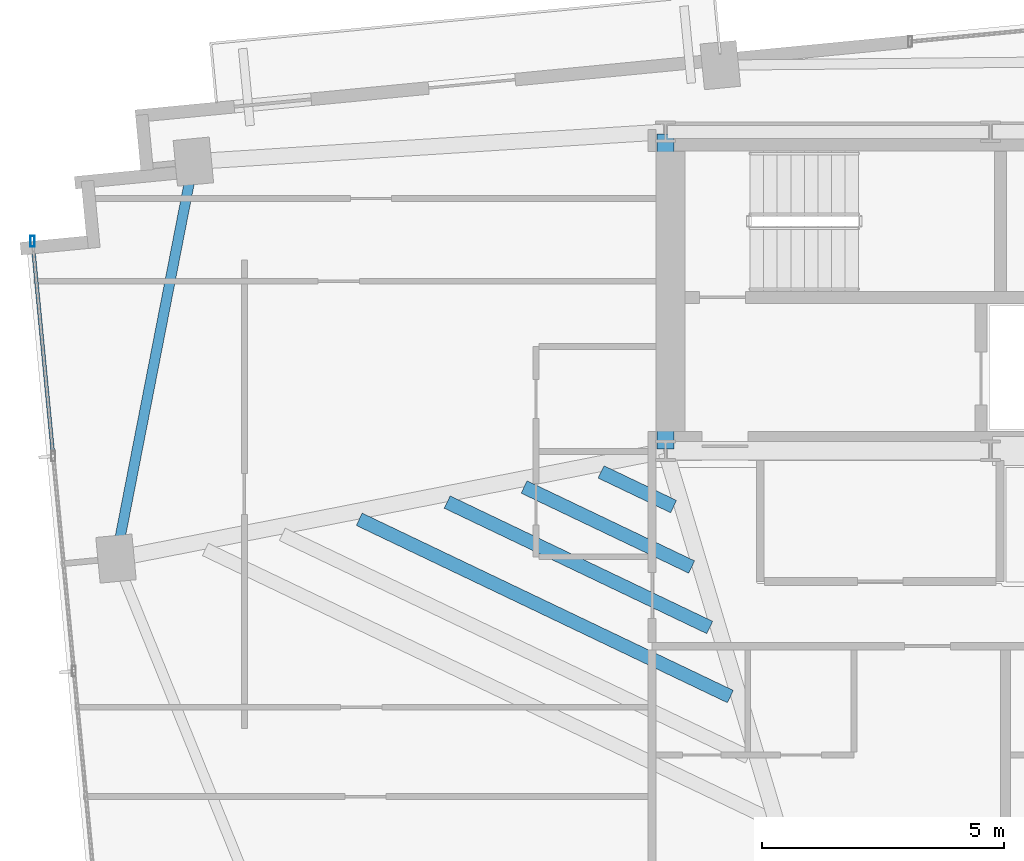
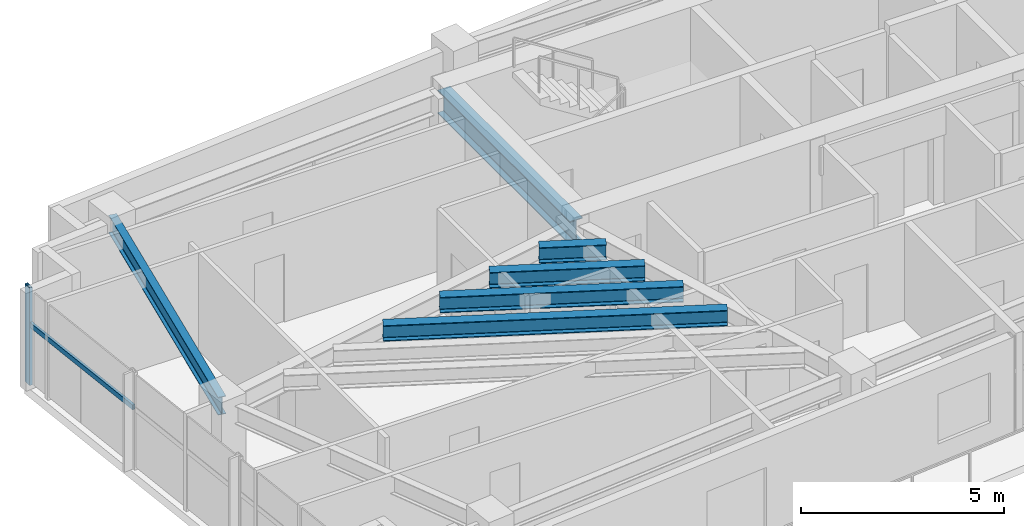
# One storey, part 3 of 18: 6 beams, 2 members, 1 element without a shape of its own.
"""IFC4 building model written with IfcOpenShell, lengths in metres."""

from ifc_helpers import new_model, si_unit, direction, frame, origin, origin_2d, place, context, subcontext, project, spatial, hollow_rectangle, i_section, extrude, source, transform, mapped, material, material_profile, profile_set, type_object, type_shapes, element, aggregate, save


model = new_model("IFC4")

# Units and contexts
model_context = context("Model", 3, precision=1e-05, world=origin(), true_north=direction((0.0, 1.0)))
body_context = subcontext(model_context, "Body", "Model", "MODEL_VIEW")
ifc_project = project(units=[si_unit("LENGTHUNIT", "METRE"), si_unit("AREAUNIT", "SQUARE_METRE"), si_unit("VOLUMEUNIT", "CUBIC_METRE"), si_unit("PLANEANGLEUNIT", "RADIAN"), si_unit("MASSUNIT", "GRAM", prefix="KILO")], contexts=[model_context])

# Site, building, storey
site_placement = place(None, origin())
site = spatial("IfcSite", under=ifc_project, at=site_placement, CompositionType="ELEMENT")
building_placement = place(site_placement, origin())
building = spatial("IfcBuilding", under=site, at=building_placement, Name="Astriad Promenade Condominiums", CompositionType="ELEMENT")
storey_placement = place(building_placement, frame((0.0, 0.0, 201.800048828125)))
storey = spatial("IfcBuildingStorey", under=building, at=storey_placement, Name="L58", CompositionType="ELEMENT", Elevation=201.800048828125)

# Beams
ifc_material_1 = material(Name="Steel ASTM A992 Grade 50", Category="steel")
ifc_material_profile_1 = material_profile(ifc_material_1, i_section(OverallWidth=0.35791015625, OverallDepth=0.706298828125, WebThickness=0.018310546875, FlangeThickness=0.0302734375, FilletRadius=0.020263671875, at=origin_2d()), Name="W27X178")
ifc_profile_set_1 = profile_set([ifc_material_profile_1], Name="Steel ASTM A992 Grade 50")
beam_type_1 = type_object("IfcBeamType", Name="STEEL FLOOR GIRDER W27X178", PredefinedType="BEAM", material=ifc_profile_set_1)
shared_shape_1 = source(origin(), body_context, "Body", "SweptSolid", [
    extrude(i_section(OverallWidth=0.35791015625, OverallDepth=0.706298828125, WebThickness=0.018310546875, FlangeThickness=0.0302734375, FilletRadius=0.020263671875, at=origin_2d()), origin(), (0.0, 0.0, 1.0), 6.52001953125),
])
type_shapes(beam_type_1, [shared_shape_1])
beam_1_placement = place(storey_placement, frame((26.39990234375, 17.43994140625, 2.586669921875), z_axis=(0.0, 1.0, 0.0), x_axis=(-1.0, 0.0, 0.0)))
element("IfcBeam", 1, at=beam_1_placement, inside=storey, type_object=beam_type_1, Name="Core Ring Beam CG-W1-L58", PredefinedType="BEAM", context=body_context, shape_type="MappedRepresentation", body=[
    mapped(shared_shape_1, transform((0.0, 0.0, 0.0), scale=1.0)),
])
ifc_material_profile_2 = material_profile(ifc_material_1, i_section(OverallWidth=0.210693359375, OverallDepth=0.53955078125, WebThickness=0.01171875, FlangeThickness=0.018798828125, FilletRadius=0.0166015625, at=origin_2d()), Name="W21X73")
ifc_profile_set_2 = profile_set([ifc_material_profile_2], Name="Steel ASTM A992 Grade 50")
beam_type_2 = type_object("IfcBeamType", Name="STEEL SPANDREL BEAM W21X73", PredefinedType="SPANDREL", material=ifc_profile_set_2)
shared_shape_2 = source(origin(), body_context, "Body", "SweptSolid", [
    extrude(i_section(OverallWidth=0.210693359375, OverallDepth=0.53955078125, WebThickness=0.01171875, FlangeThickness=0.018798828125, FilletRadius=0.0166015625, at=origin_2d()), origin(), (0.0, 0.0, 1.0), 8.28564453125),
])
type_shapes(beam_type_2, [shared_shape_2])
beam_2_placement = place(storey_placement, frame((16.62451171875, 23.3447265625, 2.670166015625), z_axis=(-0.191291582099, -0.981533254973, 0.0), x_axis=(0.981533254973, -0.191291582099, 0.0)))
element("IfcBeam", 2, at=beam_2_placement, inside=storey, type_object=beam_type_2, Name="Perimeter Spandrel Beam SP-W2-L58", PredefinedType="SPANDREL", context=body_context, shape_type="MappedRepresentation", body=[
    mapped(shared_shape_2, transform((0.0, 0.0, 0.0), scale=1.0)),
])
ifc_material_profile_3 = material_profile(ifc_material_1, i_section(OverallWidth=0.283203125, OverallDepth=0.47216796875, WebThickness=0.013671875, FlangeThickness=0.022216796875, FilletRadius=0.01513671875, at=origin_2d()), Name="W18X97")
ifc_profile_set_3 = profile_set([ifc_material_profile_3], Name="Steel ASTM A992 Grade 50")
beam_type_3 = type_object("IfcBeamType", Name="STEEL FLOOR JOIST W18X97", PredefinedType="JOIST", material=ifc_profile_set_3)
shared_shape_3 = source(origin(), body_context, "Body", "SweptSolid", [
    extrude(i_section(OverallWidth=0.283203125, OverallDepth=0.47216796875, WebThickness=0.013671875, FlangeThickness=0.022216796875, FilletRadius=0.01513671875, at=origin_2d()), origin(), (0.0, 0.0, 1.0), 8.508056640625),
])
beam_3_placement = place(storey_placement, frame((20.06298828125, 15.985595703125, 2.703857421875), z_axis=(0.902339530667, -0.431025952113, 0.0), x_axis=(0.431025952113, 0.902339530667, 0.0)))
element("IfcBeam", 3, at=beam_3_placement, inside=storey, type_object=beam_type_3, Name="Secondary Composite Floor Joist JW1-3-L58", PredefinedType="JOIST", context=body_context, shape_type="MappedRepresentation", body=[
    mapped(shared_shape_3, transform((0.0, 0.0, 0.0), scale=1.0)),
])
shared_shape_4 = source(origin(), body_context, "Body", "SweptSolid", [
    extrude(i_section(OverallWidth=0.283203125, OverallDepth=0.47216796875, WebThickness=0.013671875, FlangeThickness=0.022216796875, FilletRadius=0.01513671875, at=origin_2d()), origin(), (0.0, 0.0, 1.0), 6.01904296875),
])
beam_4_placement = place(storey_placement, frame((21.882080078125, 16.342041015625, 2.703857421875), z_axis=(0.902329759838, -0.431046406446, 0.0), x_axis=(0.431046406446, 0.902329759838, 0.0)))
element("IfcBeam", 4, at=beam_4_placement, inside=storey, type_object=beam_type_3, Name="Secondary Composite Floor Joist JW1-4-L58", PredefinedType="JOIST", context=body_context, shape_type="MappedRepresentation", body=[
    mapped(shared_shape_4, transform((0.0, 0.0, 0.0), scale=1.0)),
])
shared_shape_5 = source(origin(), body_context, "Body", "SweptSolid", [
    extrude(i_section(OverallWidth=0.283203125, OverallDepth=0.47216796875, WebThickness=0.013671875, FlangeThickness=0.022216796875, FilletRadius=0.01513671875, at=origin_2d()), origin(), (0.0, 0.0, 1.0), 3.84130859375),
])
beam_5_placement = place(storey_placement, frame((23.473388671875, 16.65380859375, 2.703857421875), z_axis=(0.902328811953, -0.431048390693, 0.0), x_axis=(0.431048390693, 0.902328811953, 0.0)))
element("IfcBeam", 5, at=beam_5_placement, inside=storey, type_object=beam_type_3, Name="Secondary Composite Floor Joist JW1-5-L58", PredefinedType="JOIST", context=body_context, shape_type="MappedRepresentation", body=[
    mapped(shared_shape_5, transform((0.0, 0.0, 0.0), scale=1.0)),
])
shared_shape_6 = source(origin(), body_context, "Body", "SweptSolid", [
    extrude(i_section(OverallWidth=0.283203125, OverallDepth=0.47216796875, WebThickness=0.013671875, FlangeThickness=0.022216796875, FilletRadius=0.01513671875, at=origin_2d()), origin(), (0.0, 0.0, 1.0), 1.6630859375),
])
type_shapes(beam_type_3, [shared_shape_3, shared_shape_4, shared_shape_5, shared_shape_6])
beam_6_placement = place(storey_placement, frame((25.065185546875, 16.965576171875, 2.703857421875), z_axis=(0.902355200591, -0.430993146077, 0.0), x_axis=(0.430993146077, 0.902355200591, 0.0)))
element("IfcBeam", 6, at=beam_6_placement, inside=storey, type_object=beam_type_3, Name="Secondary Composite Floor Joist JW1-6-L58", PredefinedType="JOIST", context=body_context, shape_type="MappedRepresentation", body=[
    mapped(shared_shape_6, transform((0.0, 0.0, 0.0), scale=1.0)),
])

# Curtain wall, members
ifc_material_2 = material(Name="Anodised aluminium Black Dark Glass Unitised", Category="aluminium")
curtain_wall_type = type_object("IfcCurtainWallType", Name="CW-B34-DARK", PredefinedType="USERDEFINED", material=ifc_material_2)
curtain_wall_placement = place(storey_placement, origin())
curtain_wall = element("IfcCurtainWall", 7, at=curtain_wall_placement, inside=storey, type_object=curtain_wall_type, Name="CW-L58-W", ObjectType="UNITISED_CURTAIN_WALL", PredefinedType="USERDEFINED")
ifc_material_3 = material(Name="Anodised aluminium 6063-T6 Black", Category="aluminium")
ifc_material_profile_4 = material_profile(ifc_material_3, hollow_rectangle(XDim=0.0849609375, YDim=0.219970703125, WallThickness=0.0048828125, at=origin_2d()), Name="ALU-MUL-85X220")
ifc_profile_set_4 = profile_set([ifc_material_profile_4], Name="Anodised aluminium 6063-T6 Black")
member_type_1 = type_object("IfcMemberType", Name="MUL-ALU-MUL-85X220", PredefinedType="MULLION", material=ifc_profile_set_4)
shared_shape_7 = source(origin(), body_context, "Body", "SweptSolid", [
    extrude(hollow_rectangle(XDim=0.0849609375, YDim=0.219970703125, WallThickness=0.0048828125, at=origin_2d()), origin(), (0.0, 0.0, 1.0), 2.93994140625),
])
type_shapes(member_type_1, [shared_shape_7])
member_1_placement = place(storey_placement, frame((13.3046875, 21.737548828125, 0.0), z_axis=(0.0, 0.0, 1.0), x_axis=(1.0, 0.0, 0.0)))
member_1 = element("IfcMember", 8, at=member_1_placement, type_object=member_type_1, Name="CW-L58-W-MUL-03", PredefinedType="MULLION", context=body_context, shape_type="MappedRepresentation", body=[
    mapped(shared_shape_7, transform((0.0, 0.0, 0.0), scale=1.0)),
])
ifc_material_profile_5 = material_profile(ifc_material_3, hollow_rectangle(XDim=0.074951171875, YDim=0.14990234375, WallThickness=0.004150390625, at=origin_2d()), Name="ALU-TRN-75X150")
ifc_profile_set_5 = profile_set([ifc_material_profile_5], Name="Anodised aluminium 6063-T6 Black")
member_type_2 = type_object("IfcMemberType", Name="TRN-ALU-TRN-75X150", PredefinedType="USERDEFINED", material=ifc_profile_set_5)
shared_shape_8 = source(origin(), body_context, "Body", "SweptSolid", [
    extrude(hollow_rectangle(XDim=0.074951171875, YDim=0.14990234375, WallThickness=0.004150390625, at=origin_2d()), origin(), (0.0, 0.0, 1.0), 4.466552734375),
])
type_shapes(member_type_2, [shared_shape_8])
member_2_placement = place(storey_placement, frame((13.732666015625, 17.29150390625, 1.82275390625), z_axis=(-0.095817598554, 0.995398908884, 0.0), x_axis=(-0.995398908884, -0.095817598554, 0.0)))
member_2 = element("IfcMember", 9, at=member_2_placement, type_object=member_type_2, Name="CW-L58-W-TRN-02-0", ObjectType="TRANSOM", PredefinedType="USERDEFINED", context=body_context, shape_type="MappedRepresentation", body=[
    mapped(shared_shape_8, transform((0.0, 0.0, 0.0), scale=1.0)),
])
aggregate(curtain_wall, [member_1, member_2])

save(model, "model.ifc")
